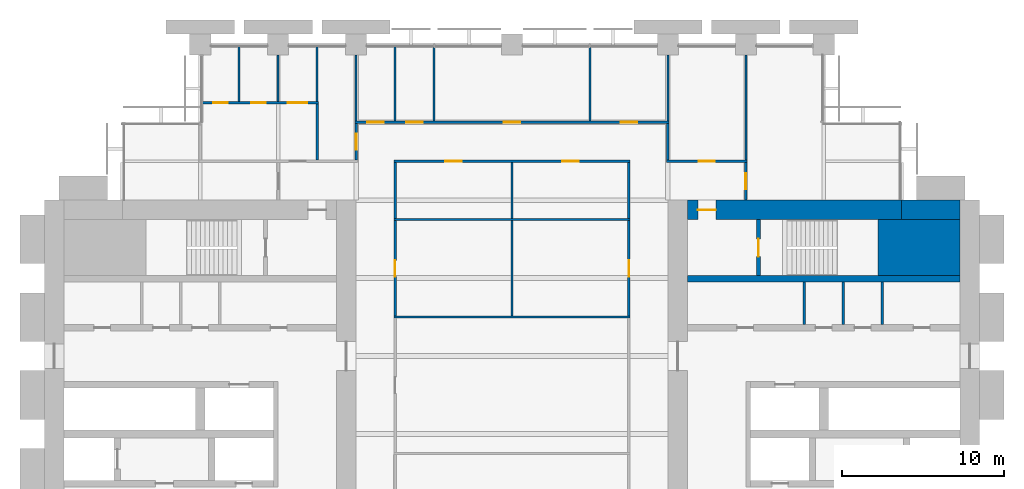
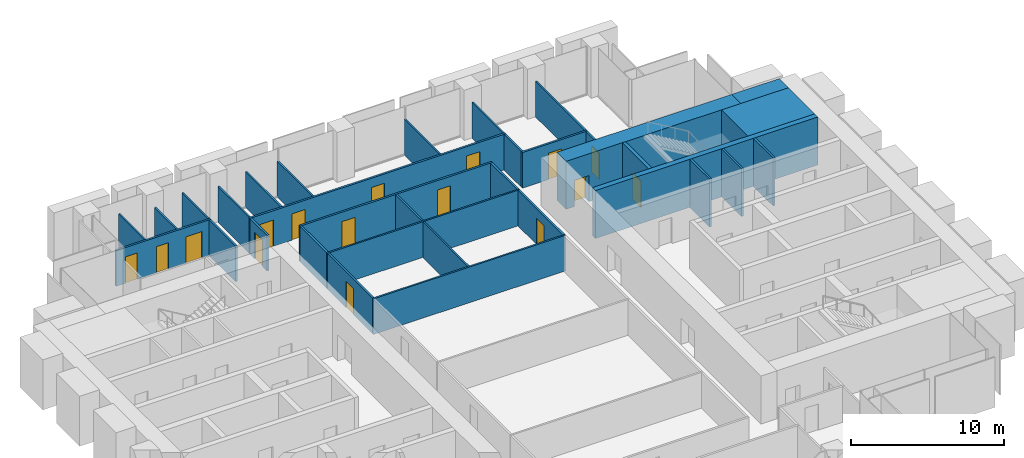
# One storey, part 12 of 14: 33 walls, 16 doors, 16 openings.
"""IFC4 building model written with IfcOpenShell, lengths in metres."""

from ifc_helpers import new_model, si_unit, direction, frame, frame_2d, origin, place, context, subcontext, project, spatial, rectangle, extrude, material, layer, layer_set, type_object, element, fill, save


model = new_model("IFC4")

# Units and contexts
model_context = context("Model", 3, precision=1e-05, world=origin(), true_north=direction((0.0, 1.0)))
body_context = subcontext(model_context, "Body", "Model", "MODEL_VIEW")
ifc_project = project(units=[si_unit("LENGTHUNIT", "METRE"), si_unit("AREAUNIT", "SQUARE_METRE"), si_unit("VOLUMEUNIT", "CUBIC_METRE"), si_unit("PLANEANGLEUNIT", "RADIAN"), si_unit("MASSUNIT", "GRAM", prefix="KILO")], contexts=[model_context])

# Site, building, storey
site_placement = place(None, origin())
site = spatial("IfcSite", under=ifc_project, at=site_placement, CompositionType="ELEMENT")
building_placement = place(site_placement, origin())
building = spatial("IfcBuilding", under=site, at=building_placement, Name="Baori Bourse Tower", CompositionType="ELEMENT")
storey_placement = place(building_placement, frame((0.0, 0.0, 67.0)))
storey = spatial("IfcBuildingStorey", under=building, at=storey_placement, Name="L14", CompositionType="ELEMENT", Elevation=67.0)

# Walls
ifc_material_1 = material(Name="Concrete f'c 70 MPa", Category="concrete")
wall_type_1 = type_object("IfcWallType", Name="Core corner block f'c 70", PredefinedType="SHEAR", material=ifc_material_1)
wall_1_placement = place(storey_placement, frame((51.35009765625, 35.47509765625, 0.0), z_axis=(0.0, 0.0, 1.0), x_axis=(1.0, 0.0, 0.0)))
element("IfcWall", 1, at=wall_1_placement, inside=storey, type_object=wall_type_1, Name="Core wall E22", PredefinedType="SHEAR", context=body_context, shape_type="SweptSolid", body=[
    extrude(rectangle(XDim=5.0498046875, YDim=3.449951171875, at=frame_2d((2.52490234375, 0.0))), origin(), (0.0, 0.0, 1.0), 3.840087890625),
])
ifc_material_2 = material(Name="Blockwork partition", Category="masonry")
ifc_layer_1 = layer(ifc_material_2, 0.14990234375)
ifc_layer_set_1 = layer_set([ifc_layer_1], Name="Core partition 150")
wall_type_2 = type_object("IfcWallType", Name="Core partition 150", PredefinedType="PARTITIONING", material=ifc_layer_set_1)
for number, where, z_axis, x_axis, name in (
    (2, (51.60009765625, 30.75, 0.0), (0.0, 0.0, 1.0), (0.0, 1.0, 0.0), "Partition wall E18"),
    (3, (49.199951171875, 30.75, 0.0), (0.0, 0.0, 1.0), (0.0, 1.0, 0.0), "Partition wall E19"),
    (4, (46.800048828125, 30.75, 0.0), (0.0, 0.0, 1.0), (0.0, 1.0, 0.0), "Partition wall E20"),
):
    element("IfcWall", number, at=place(storey_placement, frame(where, z_axis=z_axis, x_axis=x_axis)), inside=storey, type_object=wall_type_2, Name=name, PredefinedType="PARTITIONING", context=body_context, shape_type="SweptSolid", body=[
        extrude(rectangle(XDim=2.60009765625, YDim=0.14990234375, at=frame_2d((1.300048828125, 0.0))), origin(), (0.0, 0.0, 1.0), 3.840087890625),
    ])
ifc_material_3 = material(Name="Concrete f'c 70 MPa", Category="concrete")
ifc_layer_2 = layer(ifc_material_3, 1.199951171875)
ifc_layer_set_2 = layer_set([ifc_layer_2], Name="Core wall 1200 f'c 70")
wall_type_3 = type_object("IfcWallType", Name="Core wall 1200 f'c 70", PredefinedType="SHEAR", material=ifc_layer_set_2)
wall_2_placement = place(storey_placement, frame((52.800048828125, 37.800048828125, 0.0), z_axis=(0.0, 0.0, 1.0), x_axis=(1.0, 0.0, 0.0)))
element("IfcWall", 5, at=wall_2_placement, inside=storey, type_object=wall_type_3, Name="Core wall E24", PredefinedType="SHEAR", context=body_context, shape_type="SweptSolid", body=[
    extrude(rectangle(XDim=3.599853515625, YDim=1.199951171875, at=frame_2d((1.7998046875, 0.0))), origin(), (0.0, 0.0, 1.0), 3.840087890625),
])

# Wall, opening, door
wall_3_placement = place(storey_placement, frame((39.60009765625, 37.800048828125, 0.0), z_axis=(0.0, 0.0, 1.0), x_axis=(1.0, 0.0, 0.0)))
wall_3 = element("IfcWall", 6, at=wall_3_placement, inside=storey, type_object=wall_type_3, Name="Core wall E25", PredefinedType="SHEAR", context=body_context, shape_type="SweptSolid", body=[
    extrude(rectangle(XDim=13.199951171875, YDim=1.199951171875, at=frame_2d((6.60009765625, 0.0))), origin(), (0.0, 0.0, 1.0), 3.840087890625),
])
opening_1_placement = place(wall_3_placement, frame((0.64990234375, 0.0, 0.0)))
opening_1 = element("IfcOpeningElement", 7, at=opening_1_placement, cuts=wall_3, Name="Opening L14-D204", PredefinedType="OPENING", context=body_context, shape_type="SweptSolid", body=[
    extrude(rectangle(XDim=1.10009765625, YDim=2.10009765625, at=frame_2d((0.550048828125, 1.050048828125))), frame((0.0, 0.60986328125, 0.0), z_axis=(0.0, -1.0, 0.0), x_axis=(1.0, 0.0, 0.0)), (0.0, 0.0, 1.0), 1.219970703125),
])
ifc_material_4 = material(Name="Painted steel door", Category="steel")
door_type_1 = type_object("IfcDoorType", Name="Stair door 1100", OperationType="SINGLE_SWING_LEFT", PredefinedType="DOOR", material=ifc_material_4)
door_1_placement = place(opening_1_placement, origin())
door_1 = element("IfcDoor", 8, at=door_1_placement, inside=storey, type_object=door_type_1, Name="Stair vestibule door B E L14", OperationType="SINGLE_SWING_LEFT", OverallHeight=2.10009765625, OverallWidth=1.10009765625, PredefinedType="DOOR", context=body_context, shape_type="SweptSolid", body=[
    extrude(rectangle(XDim=1.10009765625, YDim=2.10009765625, at=frame_2d((0.550048828125, 1.050048828125))), frame((0.0, 0.02490234375, 0.0), z_axis=(0.0, -1.0, 0.0), x_axis=(1.0, 0.0, 0.0)), (0.0, 0.0, 1.0), 0.050048828125),
])
fill(opening_1, door_1)

# Wall, openings, doors
ifc_material_5 = material(Name="Gypsum board partition")
ifc_layer_3 = layer(ifc_material_5, 0.14990234375)
ifc_layer_set_3 = layer_set([ifc_layer_3], Name="Corridor partition 150")
wall_type_4 = type_object("IfcWallType", Name="Corridor partition 150", PredefinedType="PARTITIONING", material=ifc_layer_set_3)
wall_4_placement = place(storey_placement, frame((21.52490234375, 40.800048828125, 0.0), z_axis=(0.0, 0.0, 1.0), x_axis=(1.0, 0.0, 0.0)))
wall_4 = element("IfcWall", 9, at=wall_4_placement, inside=storey, type_object=wall_type_4, Name="Partition", PredefinedType="PARTITIONING", context=body_context, shape_type="SweptSolid", body=[
    extrude(rectangle(XDim=14.550048828125, YDim=0.14990234375, at=frame_2d((7.27490234375, 0.0))), origin(), (0.0, 0.0, 1.0), 2.849365234375),
])
opening_2_placement = place(wall_4_placement, frame((3.175048828125, 0.0, 0.0)))
opening_2 = element("IfcOpeningElement", 10, at=opening_2_placement, cuts=wall_4, Name="Opening L14-D08", PredefinedType="OPENING", context=body_context, shape_type="SweptSolid", body=[
    extrude(rectangle(XDim=1.0, YDim=2.10009765625, at=frame_2d((0.5, 1.050048828125))), frame((0.0, 0.0849609375, 0.0), z_axis=(0.0, -1.0, 0.0), x_axis=(1.0, 0.0, 0.0)), (0.0, 0.0, 1.0), 0.169921875),
])
opening_3_placement = place(wall_4_placement, frame((10.375, 0.0, 0.0)))
opening_3 = element("IfcOpeningElement", 11, at=opening_3_placement, cuts=wall_4, Name="Opening L14-D09", PredefinedType="OPENING", context=body_context, shape_type="SweptSolid", body=[
    extrude(rectangle(XDim=1.0, YDim=2.10009765625, at=frame_2d((0.5, 1.050048828125))), frame((0.0, 0.0849609375, 0.0), z_axis=(0.0, -1.0, 0.0), x_axis=(1.0, 0.0, 0.0)), (0.0, 0.0, 1.0), 0.169921875),
])
ifc_material_6 = material(Name="Timber door leaf", Category="wood")
door_type_2 = type_object("IfcDoorType", Name="Door 1000 x 2100", OperationType="SINGLE_SWING_LEFT", PredefinedType="DOOR", material=ifc_material_6)
door_2_placement = place(opening_2_placement, origin())
door_2 = element("IfcDoor", 12, at=door_2_placement, inside=storey, type_object=door_type_2, Name="Door", OperationType="SINGLE_SWING_LEFT", OverallHeight=2.10009765625, OverallWidth=1.0, PredefinedType="DOOR", context=body_context, shape_type="SweptSolid", body=[
    extrude(rectangle(XDim=1.0, YDim=2.10009765625, at=frame_2d((0.5, 1.050048828125))), frame((0.0, 0.02490234375, 0.0), z_axis=(0.0, -1.0, 0.0), x_axis=(1.0, 0.0, 0.0)), (0.0, 0.0, 1.0), 0.050048828125),
])
fill(opening_2, door_2)
door_3_placement = place(opening_3_placement, origin())
door_3 = element("IfcDoor", 13, at=door_3_placement, inside=storey, type_object=door_type_2, Name="Door", OperationType="SINGLE_SWING_RIGHT", OverallHeight=2.10009765625, OverallWidth=1.0, PredefinedType="DOOR", context=body_context, shape_type="SweptSolid", body=[
    extrude(rectangle(XDim=1.0, YDim=2.10009765625, at=frame_2d((0.5, 1.050048828125))), frame((0.0, 0.02490234375, 0.0), z_axis=(0.0, -1.0, 0.0), x_axis=(1.0, 0.0, 0.0)), (0.0, 0.0, 1.0), 0.050048828125),
])
fill(opening_3, door_3)

# Wall, opening, door
wall_5_placement = place(storey_placement, frame((38.324951171875, 40.800048828125, 0.0), z_axis=(0.0, 0.0, 1.0), x_axis=(1.0, 0.0, 0.0)))
wall_5 = element("IfcWall", 14, at=wall_5_placement, inside=storey, type_object=wall_type_4, Name="Partition", PredefinedType="PARTITIONING", context=body_context, shape_type="SweptSolid", body=[
    extrude(rectangle(XDim=4.949951171875, YDim=0.14990234375, at=frame_2d((2.47509765625, 0.0))), origin(), (0.0, 0.0, 1.0), 2.849365234375),
])
opening_4_placement = place(wall_5_placement, frame((1.97509765625, 0.0, 0.0)))
opening_4 = element("IfcOpeningElement", 15, at=opening_4_placement, cuts=wall_5, Name="Opening L14-D10", PredefinedType="OPENING", context=body_context, shape_type="SweptSolid", body=[
    extrude(rectangle(XDim=1.0, YDim=2.10009765625, at=frame_2d((0.5, 1.050048828125))), frame((0.0, 0.0849609375, 0.0), z_axis=(0.0, -1.0, 0.0), x_axis=(1.0, 0.0, 0.0)), (0.0, 0.0, 1.0), 0.169921875),
])
door_4_placement = place(opening_4_placement, origin())
door_4 = element("IfcDoor", 16, at=door_4_placement, inside=storey, type_object=door_type_2, Name="Door", OperationType="SINGLE_SWING_RIGHT", OverallHeight=2.10009765625, OverallWidth=1.0, PredefinedType="DOOR", context=body_context, shape_type="SweptSolid", body=[
    extrude(rectangle(XDim=1.0, YDim=2.10009765625, at=frame_2d((0.5, 1.050048828125))), frame((0.0, 0.02490234375, 0.0), z_axis=(0.0, -1.0, 0.0), x_axis=(1.0, 0.0, 0.0)), (0.0, 0.0, 1.0), 0.050048828125),
])
fill(opening_4, door_4)

# Wall, openings, doors
wall_6_placement = place(storey_placement, frame((19.125, 43.199951171875, 0.0), z_axis=(0.0, 0.0, 1.0), x_axis=(1.0, 0.0, 0.0)))
wall_6 = element("IfcWall", 17, at=wall_6_placement, inside=storey, type_object=wall_type_4, Name="Partition", PredefinedType="PARTITIONING", context=body_context, shape_type="SweptSolid", body=[
    extrude(rectangle(XDim=19.35009765625, YDim=0.14990234375, at=frame_2d((9.675048828125, 0.0))), origin(), (0.0, 0.0, 1.0), 2.849365234375),
])
opening_5_placement = place(wall_6_placement, frame((0.77490234375, 0.0, 0.0)))
opening_5 = element("IfcOpeningElement", 18, at=opening_5_placement, cuts=wall_6, Name="Opening L14-D11", PredefinedType="OPENING", context=body_context, shape_type="SweptSolid", body=[
    extrude(rectangle(XDim=1.0, YDim=2.10009765625, at=frame_2d((0.5, 1.050048828125))), frame((0.0, 0.0849609375, 0.0), z_axis=(0.0, -1.0, 0.0), x_axis=(1.0, 0.0, 0.0)), (0.0, 0.0, 1.0), 0.169921875),
])
opening_6_placement = place(wall_6_placement, frame((3.175048828125, 0.0, 0.0)))
opening_6 = element("IfcOpeningElement", 19, at=opening_6_placement, cuts=wall_6, Name="Opening L14-D12", PredefinedType="OPENING", context=body_context, shape_type="SweptSolid", body=[
    extrude(rectangle(XDim=1.0, YDim=2.10009765625, at=frame_2d((0.5, 1.050048828125))), frame((0.0, 0.0849609375, 0.0), z_axis=(0.0, -1.0, 0.0), x_axis=(1.0, 0.0, 0.0)), (0.0, 0.0, 1.0), 0.169921875),
])
opening_7_placement = place(wall_6_placement, frame((9.175048828125, 0.0, 0.0)))
opening_7 = element("IfcOpeningElement", 20, at=opening_7_placement, cuts=wall_6, Name="Opening L14-D13", PredefinedType="OPENING", context=body_context, shape_type="SweptSolid", body=[
    extrude(rectangle(XDim=1.0, YDim=2.10009765625, at=frame_2d((0.5, 1.050048828125))), frame((0.0, 0.0849609375, 0.0), z_axis=(0.0, -1.0, 0.0), x_axis=(1.0, 0.0, 0.0)), (0.0, 0.0, 1.0), 0.169921875),
])
opening_8_placement = place(wall_6_placement, frame((16.375, 0.0, 0.0)))
opening_8 = element("IfcOpeningElement", 21, at=opening_8_placement, cuts=wall_6, Name="Opening L14-D14", PredefinedType="OPENING", context=body_context, shape_type="SweptSolid", body=[
    extrude(rectangle(XDim=1.0, YDim=2.10009765625, at=frame_2d((0.5, 1.050048828125))), frame((0.0, 0.0849609375, 0.0), z_axis=(0.0, -1.0, 0.0), x_axis=(1.0, 0.0, 0.0)), (0.0, 0.0, 1.0), 0.169921875),
])
door_5_placement = place(opening_5_placement, origin())
door_5 = element("IfcDoor", 22, at=door_5_placement, inside=storey, type_object=door_type_2, Name="Door", OperationType="SINGLE_SWING_RIGHT", OverallHeight=2.10009765625, OverallWidth=1.0, PredefinedType="DOOR", context=body_context, shape_type="SweptSolid", body=[
    extrude(rectangle(XDim=1.0, YDim=2.10009765625, at=frame_2d((0.5, 1.050048828125))), frame((0.0, 0.02490234375, 0.0), z_axis=(0.0, -1.0, 0.0), x_axis=(1.0, 0.0, 0.0)), (0.0, 0.0, 1.0), 0.050048828125),
])
fill(opening_5, door_5)
door_6_placement = place(opening_6_placement, origin())
door_6 = element("IfcDoor", 23, at=door_6_placement, inside=storey, type_object=door_type_2, Name="Door", OperationType="SINGLE_SWING_RIGHT", OverallHeight=2.10009765625, OverallWidth=1.0, PredefinedType="DOOR", context=body_context, shape_type="SweptSolid", body=[
    extrude(rectangle(XDim=1.0, YDim=2.10009765625, at=frame_2d((0.5, 1.050048828125))), frame((0.0, 0.02490234375, 0.0), z_axis=(0.0, -1.0, 0.0), x_axis=(1.0, 0.0, 0.0)), (0.0, 0.0, 1.0), 0.050048828125),
])
fill(opening_6, door_6)
door_7_placement = place(opening_7_placement, origin())
door_7 = element("IfcDoor", 24, at=door_7_placement, inside=storey, type_object=door_type_2, Name="Door", OperationType="SINGLE_SWING_RIGHT", OverallHeight=2.10009765625, OverallWidth=1.0, PredefinedType="DOOR", context=body_context, shape_type="SweptSolid", body=[
    extrude(rectangle(XDim=1.0, YDim=2.10009765625, at=frame_2d((0.5, 1.050048828125))), frame((0.0, 0.02490234375, 0.0), z_axis=(0.0, -1.0, 0.0), x_axis=(1.0, 0.0, 0.0)), (0.0, 0.0, 1.0), 0.050048828125),
])
fill(opening_7, door_7)
door_8_placement = place(opening_8_placement, origin())
door_8 = element("IfcDoor", 25, at=door_8_placement, inside=storey, type_object=door_type_2, Name="Door", OperationType="SINGLE_SWING_LEFT", OverallHeight=2.10009765625, OverallWidth=1.0, PredefinedType="DOOR", context=body_context, shape_type="SweptSolid", body=[
    extrude(rectangle(XDim=1.0, YDim=2.10009765625, at=frame_2d((0.5, 1.050048828125))), frame((0.0, 0.02490234375, 0.0), z_axis=(0.0, -1.0, 0.0), x_axis=(1.0, 0.0, 0.0)), (0.0, 0.0, 1.0), 0.050048828125),
])
fill(opening_8, door_8)

wall_7_placement = place(storey_placement, frame((9.699951171875, 44.39990234375, 0.0), z_axis=(0.0, 0.0, 1.0), x_axis=(1.0, 0.0, 0.0)))
wall_7 = element("IfcWall", 26, at=wall_7_placement, inside=storey, type_object=wall_type_4, Name="Partition", PredefinedType="PARTITIONING", context=body_context, shape_type="SweptSolid", body=[
    extrude(rectangle(XDim=7.175048828125, YDim=0.14990234375, at=frame_2d((3.58740234375, 0.0))), origin(), (0.0, 0.0, 1.0), 2.849365234375),
])
opening_9_placement = place(wall_7_placement, frame((0.699951171875, 0.0, 0.0)))
opening_9 = element("IfcOpeningElement", 27, at=opening_9_placement, cuts=wall_7, Name="Opening L14-D15", PredefinedType="OPENING", context=body_context, shape_type="SweptSolid", body=[
    extrude(rectangle(XDim=0.89990234375, YDim=2.10009765625, at=frame_2d((0.449951171875, 1.050048828125))), frame((0.0, 0.0849609375, 0.0), z_axis=(0.0, -1.0, 0.0), x_axis=(1.0, 0.0, 0.0)), (0.0, 0.0, 1.0), 0.169921875),
])
opening_10_placement = place(wall_7_placement, frame((3.050048828125, 0.0, 0.0)))
opening_10 = element("IfcOpeningElement", 28, at=opening_10_placement, cuts=wall_7, Name="Opening L14-D16", PredefinedType="OPENING", context=body_context, shape_type="SweptSolid", body=[
    extrude(rectangle(XDim=0.89990234375, YDim=2.10009765625, at=frame_2d((0.449951171875, 1.050048828125))), frame((0.0, 0.0849609375, 0.0), z_axis=(0.0, -1.0, 0.0), x_axis=(1.0, 0.0, 0.0)), (0.0, 0.0, 1.0), 0.169921875),
])
opening_11_placement = place(wall_7_placement, frame((5.300048828125, 0.0, 0.0)))
opening_11 = element("IfcOpeningElement", 29, at=opening_11_placement, cuts=wall_7, Name="Opening L14-D17", PredefinedType="OPENING", context=body_context, shape_type="SweptSolid", body=[
    extrude(rectangle(XDim=1.199951171875, YDim=2.10009765625, at=frame_2d((0.60009765625, 1.050048828125))), frame((0.0, 0.0849609375, 0.0), z_axis=(0.0, -1.0, 0.0), x_axis=(1.0, 0.0, 0.0)), (0.0, 0.0, 1.0), 0.169921875),
])
ifc_material_7 = material(Name="Timber door leaf", Category="wood")
door_type_3 = type_object("IfcDoorType", Name="Door 1200 x 2100", OperationType="SINGLE_SWING_LEFT", PredefinedType="DOOR", material=ifc_material_7)
door_9_placement = place(opening_11_placement, origin())
door_9 = element("IfcDoor", 30, at=door_9_placement, inside=storey, type_object=door_type_3, Name="Door", OperationType="SINGLE_SWING_LEFT", OverallHeight=2.10009765625, OverallWidth=1.199951171875, PredefinedType="DOOR", context=body_context, shape_type="SweptSolid", body=[
    extrude(rectangle(XDim=1.199951171875, YDim=2.10009765625, at=frame_2d((0.60009765625, 1.050048828125))), frame((0.0, 0.02490234375, 0.0), z_axis=(0.0, -1.0, 0.0), x_axis=(1.0, 0.0, 0.0)), (0.0, 0.0, 1.0), 0.050048828125),
])
fill(opening_11, door_9)
ifc_material_8 = material(Name="Timber door leaf", Category="wood")
door_type_4 = type_object("IfcDoorType", Name="Door 900 x 2100", OperationType="SINGLE_SWING_LEFT", PredefinedType="DOOR", material=ifc_material_8)
door_10_placement = place(opening_9_placement, origin())
door_10 = element("IfcDoor", 31, at=door_10_placement, inside=storey, type_object=door_type_4, Name="Door", OperationType="SINGLE_SWING_RIGHT", OverallHeight=2.10009765625, OverallWidth=0.89990234375, PredefinedType="DOOR", context=body_context, shape_type="SweptSolid", body=[
    extrude(rectangle(XDim=0.89990234375, YDim=2.10009765625, at=frame_2d((0.449951171875, 1.050048828125))), frame((0.0, 0.02490234375, 0.0), z_axis=(0.0, -1.0, 0.0), x_axis=(1.0, 0.0, 0.0)), (0.0, 0.0, 1.0), 0.050048828125),
])
fill(opening_9, door_10)
door_11_placement = place(opening_10_placement, origin())
door_11 = element("IfcDoor", 32, at=door_11_placement, inside=storey, type_object=door_type_4, Name="Door", OperationType="SINGLE_SWING_RIGHT", OverallHeight=2.10009765625, OverallWidth=0.89990234375, PredefinedType="DOOR", context=body_context, shape_type="SweptSolid", body=[
    extrude(rectangle(XDim=0.89990234375, YDim=2.10009765625, at=frame_2d((0.449951171875, 1.050048828125))), frame((0.0, 0.02490234375, 0.0), z_axis=(0.0, -1.0, 0.0), x_axis=(1.0, 0.0, 0.0)), (0.0, 0.0, 1.0), 0.050048828125),
])
fill(opening_10, door_11)

# Wall
wall_8_placement = place(storey_placement, frame((16.800048828125, 40.875, 0.0), z_axis=(0.0, 0.0, 1.0), x_axis=(0.0, 1.0, 0.0)))
element("IfcWall", 33, at=wall_8_placement, inside=storey, type_object=wall_type_4, Name="Partition", PredefinedType="PARTITIONING", context=body_context, shape_type="SweptSolid", body=[
    extrude(rectangle(XDim=3.449951171875, YDim=0.14990234375, at=frame_2d((1.72509765625, 0.0))), origin(), (0.0, 0.0, 1.0), 2.849365234375),
])

# Wall, opening, door
wall_9_placement = place(storey_placement, frame((19.199951171875, 40.875, 0.0), z_axis=(0.0, 0.0, 1.0), x_axis=(0.0, 1.0, 0.0)))
wall_9 = element("IfcWall", 34, at=wall_9_placement, inside=storey, type_object=wall_type_4, Name="Partition", PredefinedType="PARTITIONING", context=body_context, shape_type="SweptSolid", body=[
    extrude(rectangle(XDim=2.25, YDim=0.14990234375, at=frame_2d((1.125, 0.0))), origin(), (0.0, 0.0, 1.0), 2.849365234375),
])
opening_12_placement = place(wall_9_placement, frame((0.625, 0.0, 0.0)))
opening_12 = element("IfcOpeningElement", 35, at=opening_12_placement, cuts=wall_9, Name="Opening L14-D20", PredefinedType="OPENING", context=body_context, shape_type="SweptSolid", body=[
    extrude(rectangle(XDim=1.0, YDim=2.10009765625, at=frame_2d((0.5, 1.050048828125))), frame((0.0, 0.0849609375, 0.0), z_axis=(0.0, -1.0, 0.0), x_axis=(1.0, 0.0, 0.0)), (0.0, 0.0, 1.0), 0.169921875),
])
door_12_placement = place(opening_12_placement, origin())
door_12 = element("IfcDoor", 36, at=door_12_placement, inside=storey, type_object=door_type_2, Name="Door", OperationType="SINGLE_SWING_RIGHT", OverallHeight=2.10009765625, OverallWidth=1.0, PredefinedType="DOOR", context=body_context, shape_type="SweptSolid", body=[
    extrude(rectangle(XDim=1.0, YDim=2.10009765625, at=frame_2d((0.5, 1.050048828125))), frame((0.0, 0.02490234375, 0.0), z_axis=(0.0, -1.0, 0.0), x_axis=(1.0, 0.0, 0.0)), (0.0, 0.0, 1.0), 0.050048828125),
])
fill(opening_12, door_12)

wall_10_placement = place(storey_placement, frame((21.60009765625, 31.262451171875, 0.0), z_axis=(0.0, 0.0, 1.0), x_axis=(0.0, 1.0, 0.0)))
wall_10 = element("IfcWall", 37, at=wall_10_placement, inside=storey, type_object=wall_type_4, Name="Partition", PredefinedType="PARTITIONING", context=body_context, shape_type="SweptSolid", body=[
    extrude(rectangle(XDim=5.875, YDim=0.14990234375, at=frame_2d((2.9375, 0.0))), origin(), (0.0, 0.0, 1.0), 2.849365234375),
])
opening_13_placement = place(wall_10_placement, frame((2.4375, 0.0, 0.0)))
opening_13 = element("IfcOpeningElement", 38, at=opening_13_placement, cuts=wall_10, Name="Opening L14-D23", PredefinedType="OPENING", context=body_context, shape_type="SweptSolid", body=[
    extrude(rectangle(XDim=1.0, YDim=2.10009765625, at=frame_2d((0.5, 1.050048828125))), frame((0.0, 0.0849609375, 0.0), z_axis=(0.0, -1.0, 0.0), x_axis=(1.0, 0.0, 0.0)), (0.0, 0.0, 1.0), 0.169921875),
])
door_13_placement = place(opening_13_placement, origin())
door_13 = element("IfcDoor", 39, at=door_13_placement, inside=storey, type_object=door_type_2, Name="Door", OperationType="SINGLE_SWING_RIGHT", OverallHeight=2.10009765625, OverallWidth=1.0, PredefinedType="DOOR", context=body_context, shape_type="SweptSolid", body=[
    extrude(rectangle(XDim=1.0, YDim=2.10009765625, at=frame_2d((0.5, 1.050048828125))), frame((0.0, 0.02490234375, 0.0), z_axis=(0.0, -1.0, 0.0), x_axis=(1.0, 0.0, 0.0)), (0.0, 0.0, 1.0), 0.050048828125),
])
fill(opening_13, door_13)

# Wall
wall_11_placement = place(storey_placement, frame((21.60009765625, 37.262451171875, 0.0), z_axis=(0.0, 0.0, 1.0), x_axis=(0.0, 1.0, 0.0)))
element("IfcWall", 40, at=wall_11_placement, inside=storey, type_object=wall_type_4, Name="Partition", PredefinedType="PARTITIONING", context=body_context, shape_type="SweptSolid", body=[
    extrude(rectangle(XDim=3.462646484375, YDim=0.14990234375, at=frame_2d((1.7314453125, 0.0))), origin(), (0.0, 0.0, 1.0), 2.849365234375),
])

# Wall, opening, door
wall_12_placement = place(storey_placement, frame((36.0, 31.262451171875, 0.0), z_axis=(0.0, 0.0, 1.0), x_axis=(0.0, 1.0, 0.0)))
wall_12 = element("IfcWall", 41, at=wall_12_placement, inside=storey, type_object=wall_type_4, Name="Partition", PredefinedType="PARTITIONING", context=body_context, shape_type="SweptSolid", body=[
    extrude(rectangle(XDim=5.875, YDim=0.14990234375, at=frame_2d((2.9375, 0.0))), origin(), (0.0, 0.0, 1.0), 2.849365234375),
])
opening_14_placement = place(wall_12_placement, frame((2.4375, 0.0, 0.0)))
opening_14 = element("IfcOpeningElement", 42, at=opening_14_placement, cuts=wall_12, Name="Opening L14-D24", PredefinedType="OPENING", context=body_context, shape_type="SweptSolid", body=[
    extrude(rectangle(XDim=1.0, YDim=2.10009765625, at=frame_2d((0.5, 1.050048828125))), frame((0.0, 0.0849609375, 0.0), z_axis=(0.0, -1.0, 0.0), x_axis=(1.0, 0.0, 0.0)), (0.0, 0.0, 1.0), 0.169921875),
])
door_14_placement = place(opening_14_placement, origin())
door_14 = element("IfcDoor", 43, at=door_14_placement, inside=storey, type_object=door_type_2, Name="Door", OperationType="SINGLE_SWING_LEFT", OverallHeight=2.10009765625, OverallWidth=1.0, PredefinedType="DOOR", context=body_context, shape_type="SweptSolid", body=[
    extrude(rectangle(XDim=1.0, YDim=2.10009765625, at=frame_2d((0.5, 1.050048828125))), frame((0.0, 0.02490234375, 0.0), z_axis=(0.0, -1.0, 0.0), x_axis=(1.0, 0.0, 0.0)), (0.0, 0.0, 1.0), 0.050048828125),
])
fill(opening_14, door_14)

# Walls
wall_13_placement = place(storey_placement, frame((36.0, 37.262451171875, 0.0), z_axis=(0.0, 0.0, 1.0), x_axis=(0.0, 1.0, 0.0)))
element("IfcWall", 44, at=wall_13_placement, inside=storey, type_object=wall_type_4, Name="Partition", PredefinedType="PARTITIONING", context=body_context, shape_type="SweptSolid", body=[
    extrude(rectangle(XDim=3.462646484375, YDim=0.14990234375, at=frame_2d((1.7314453125, 0.0))), origin(), (0.0, 0.0, 1.0), 2.849365234375),
])
wall_14_placement = place(storey_placement, frame((38.39990234375, 40.875, 0.0), z_axis=(0.0, 0.0, 1.0), x_axis=(0.0, 1.0, 0.0)))
element("IfcWall", 45, at=wall_14_placement, inside=storey, type_object=wall_type_4, Name="Partition", PredefinedType="PARTITIONING", context=body_context, shape_type="SweptSolid", body=[
    extrude(rectangle(XDim=2.25, YDim=0.14990234375, at=frame_2d((1.125, 0.0))), origin(), (0.0, 0.0, 1.0), 2.849365234375),
])

# Wall, opening, door
wall_15_placement = place(storey_placement, frame((43.199951171875, 38.39990234375, 0.0), z_axis=(0.0, 0.0, 1.0), x_axis=(0.0, 1.0, 0.0)))
wall_15 = element("IfcWall", 46, at=wall_15_placement, inside=storey, type_object=wall_type_4, Name="Partition", PredefinedType="PARTITIONING", context=body_context, shape_type="SweptSolid", body=[
    extrude(rectangle(XDim=2.3251953125, YDim=0.14990234375, at=frame_2d((1.16259765625, 0.0))), origin(), (0.0, 0.0, 1.0), 2.849365234375),
])
opening_15_placement = place(wall_15_placement, frame((0.66259765625, 0.0, 0.0)))
opening_15 = element("IfcOpeningElement", 47, at=opening_15_placement, cuts=wall_15, Name="Opening L14-D26", PredefinedType="OPENING", context=body_context, shape_type="SweptSolid", body=[
    extrude(rectangle(XDim=1.0, YDim=2.10009765625, at=frame_2d((0.5, 1.050048828125))), frame((0.0, 0.0849609375, 0.0), z_axis=(0.0, -1.0, 0.0), x_axis=(1.0, 0.0, 0.0)), (0.0, 0.0, 1.0), 0.169921875),
])
door_15_placement = place(opening_15_placement, origin())
door_15 = element("IfcDoor", 48, at=door_15_placement, inside=storey, type_object=door_type_2, Name="Door", OperationType="SINGLE_SWING_LEFT", OverallHeight=2.10009765625, OverallWidth=1.0, PredefinedType="DOOR", context=body_context, shape_type="SweptSolid", body=[
    extrude(rectangle(XDim=1.0, YDim=2.10009765625, at=frame_2d((0.5, 1.050048828125))), frame((0.0, 0.02490234375, 0.0), z_axis=(0.0, -1.0, 0.0), x_axis=(1.0, 0.0, 0.0)), (0.0, 0.0, 1.0), 0.050048828125),
])
fill(opening_15, door_15)

# Walls
ifc_material_9 = material(Name="Gypsum board partition")
ifc_layer_4 = layer(ifc_material_9, 0.125)
ifc_layer_set_4 = layer_set([ifc_layer_4], Name="Partition 125")
wall_type_5 = type_object("IfcWallType", Name="Partition 125", PredefinedType="PARTITIONING", material=ifc_layer_set_4)
for number, where, z_axis, x_axis, name in (
    (49, (21.52490234375, 31.199951171875, 0.0), (0.0, 0.0, 1.0), (1.0, 0.0, 0.0), "Partition"),
    (50, (21.52490234375, 37.199951171875, 0.0), (0.0, 0.0, 1.0), (1.0, 0.0, 0.0), "Partition"),
):
    element("IfcWall", number, at=place(storey_placement, frame(where, z_axis=z_axis, x_axis=x_axis)), inside=storey, type_object=wall_type_5, Name=name, PredefinedType="PARTITIONING", context=body_context, shape_type="SweptSolid", body=[
        extrude(rectangle(XDim=14.550048828125, YDim=0.125, at=frame_2d((7.27490234375, 0.0))), origin(), (0.0, 0.0, 1.0), 2.849365234375),
    ])
wall_16_placement = place(storey_placement, frame((12.0, 44.47509765625, 0.0), z_axis=(0.0, 0.0, 1.0), x_axis=(0.0, 1.0, 0.0)))
element("IfcWall", 51, at=wall_16_placement, inside=storey, type_object=wall_type_5, Name="Partition", PredefinedType="PARTITIONING", context=body_context, shape_type="SweptSolid", body=[
    extrude(rectangle(XDim=3.4248046875, YDim=0.125, at=frame_2d((1.71240234375, 0.0))), origin(), (0.0, 0.0, 1.0), 2.849365234375),
])
wall_17_placement = place(storey_placement, frame((14.39990234375, 44.47509765625, 0.0), z_axis=(0.0, 0.0, 1.0), x_axis=(0.0, 1.0, 0.0)))
element("IfcWall", 52, at=wall_17_placement, inside=storey, type_object=wall_type_5, Name="Partition", PredefinedType="PARTITIONING", context=body_context, shape_type="SweptSolid", body=[
    extrude(rectangle(XDim=2.875, YDim=0.125, at=frame_2d((1.4375, 0.0))), origin(), (0.0, 0.0, 1.0), 2.849365234375),
])
wall_18_placement = place(storey_placement, frame((16.800048828125, 44.47509765625, 0.0), z_axis=(0.0, 0.0, 1.0), x_axis=(0.0, 1.0, 0.0)))
element("IfcWall", 53, at=wall_18_placement, inside=storey, type_object=wall_type_5, Name="Partition", PredefinedType="PARTITIONING", context=body_context, shape_type="SweptSolid", body=[
    extrude(rectangle(XDim=3.4248046875, YDim=0.125, at=frame_2d((1.71240234375, 0.0))), origin(), (0.0, 0.0, 1.0), 2.849365234375),
])
wall_19_placement = place(storey_placement, frame((19.199951171875, 43.27490234375, 0.0), z_axis=(0.0, 0.0, 1.0), x_axis=(0.0, 1.0, 0.0)))
element("IfcWall", 54, at=wall_19_placement, inside=storey, type_object=wall_type_5, Name="Partition", PredefinedType="PARTITIONING", context=body_context, shape_type="SweptSolid", body=[
    extrude(rectangle(XDim=4.0751953125, YDim=0.125, at=frame_2d((2.03759765625, 0.0))), origin(), (0.0, 0.0, 1.0), 2.849365234375),
])
for number, where, z_axis, x_axis, name in (
    (55, (21.60009765625, 43.27490234375, 0.0), (0.0, 0.0, 1.0), (0.0, 1.0, 0.0), "Partition"),
    (56, (24.0, 43.27490234375, 0.0), (0.0, 0.0, 1.0), (0.0, 1.0, 0.0), "Partition"),
):
    element("IfcWall", number, at=place(storey_placement, frame(where, z_axis=z_axis, x_axis=x_axis)), inside=storey, type_object=wall_type_5, Name=name, PredefinedType="PARTITIONING", context=body_context, shape_type="SweptSolid", body=[
        extrude(rectangle(XDim=4.625, YDim=0.125, at=frame_2d((2.3125, 0.0))), origin(), (0.0, 0.0, 1.0), 2.849365234375),
    ])
wall_20_placement = place(storey_placement, frame((28.800048828125, 31.262451171875, 0.0), z_axis=(0.0, 0.0, 1.0), x_axis=(0.0, 1.0, 0.0)))
element("IfcWall", 57, at=wall_20_placement, inside=storey, type_object=wall_type_5, Name="Partition", PredefinedType="PARTITIONING", context=body_context, shape_type="SweptSolid", body=[
    extrude(rectangle(XDim=5.875, YDim=0.125, at=frame_2d((2.9375, 0.0))), origin(), (0.0, 0.0, 1.0), 2.849365234375),
])
wall_21_placement = place(storey_placement, frame((28.800048828125, 37.262451171875, 0.0), z_axis=(0.0, 0.0, 1.0), x_axis=(0.0, 1.0, 0.0)))
element("IfcWall", 58, at=wall_21_placement, inside=storey, type_object=wall_type_5, Name="Partition", PredefinedType="PARTITIONING", context=body_context, shape_type="SweptSolid", body=[
    extrude(rectangle(XDim=3.462646484375, YDim=0.125, at=frame_2d((1.7314453125, 0.0))), origin(), (0.0, 0.0, 1.0), 2.849365234375),
])
wall_22_placement = place(storey_placement, frame((33.60009765625, 43.27490234375, 0.0), z_axis=(0.0, 0.0, 1.0), x_axis=(0.0, 1.0, 0.0)))
element("IfcWall", 59, at=wall_22_placement, inside=storey, type_object=wall_type_5, Name="Partition", PredefinedType="PARTITIONING", context=body_context, shape_type="SweptSolid", body=[
    extrude(rectangle(XDim=4.625, YDim=0.125, at=frame_2d((2.3125, 0.0))), origin(), (0.0, 0.0, 1.0), 2.849365234375),
])
wall_23_placement = place(storey_placement, frame((38.39990234375, 43.27490234375, 0.0), z_axis=(0.0, 0.0, 1.0), x_axis=(0.0, 1.0, 0.0)))
element("IfcWall", 60, at=wall_23_placement, inside=storey, type_object=wall_type_5, Name="Partition", PredefinedType="PARTITIONING", context=body_context, shape_type="SweptSolid", body=[
    extrude(rectangle(XDim=4.0751953125, YDim=0.125, at=frame_2d((2.03759765625, 0.0))), origin(), (0.0, 0.0, 1.0), 2.849365234375),
])
wall_24_placement = place(storey_placement, frame((43.199951171875, 40.875, 0.0), z_axis=(0.0, 0.0, 1.0), x_axis=(0.0, 1.0, 0.0)))
element("IfcWall", 61, at=wall_24_placement, inside=storey, type_object=wall_type_5, Name="Partition", PredefinedType="PARTITIONING", context=body_context, shape_type="SweptSolid", body=[
    extrude(rectangle(XDim=6.47509765625, YDim=0.125, at=frame_2d((3.237548828125, 0.0))), origin(), (0.0, 0.0, 1.0), 2.849365234375),
])

# Wall, opening, door
ifc_material_10 = material(Name="Concrete f'c 70 MPa", Category="concrete")
ifc_layer_5 = layer(ifc_material_10, 0.25)
ifc_layer_set_5 = layer_set([ifc_layer_5], Name="Shaft wall 250 f'c 70")
wall_type_6 = type_object("IfcWallType", Name="Shaft wall 250 f'c 70", PredefinedType="SHEAR", material=ifc_layer_set_5)
wall_25_placement = place(storey_placement, frame((43.97509765625, 33.75, 0.0), z_axis=(0.0, 0.0, 1.0), x_axis=(0.0, 1.0, 0.0)))
wall_25 = element("IfcWall", 62, at=wall_25_placement, inside=storey, type_object=wall_type_6, Name="Core wall E23", PredefinedType="SHEAR", context=body_context, shape_type="SweptSolid", body=[
    extrude(rectangle(XDim=3.449951171875, YDim=0.25, at=frame_2d((1.72509765625, 0.0))), origin(), (0.0, 0.0, 1.0), 3.840087890625),
])
opening_16_placement = place(wall_25_placement, frame((1.175048828125, 0.0, 0.0)))
opening_16 = element("IfcOpeningElement", 63, at=opening_16_placement, cuts=wall_25, Name="Opening L14-D203", PredefinedType="OPENING", context=body_context, shape_type="SweptSolid", body=[
    extrude(rectangle(XDim=1.10009765625, YDim=2.10009765625, at=frame_2d((0.550048828125, 1.050048828125))), frame((0.0, 0.135009765625, 0.0), z_axis=(0.0, -1.0, 0.0), x_axis=(1.0, 0.0, 0.0)), (0.0, 0.0, 1.0), 0.27001953125),
])
door_16_placement = place(opening_16_placement, origin())
door_16 = element("IfcDoor", 64, at=door_16_placement, inside=storey, type_object=door_type_1, Name="Stair door B E L14", OperationType="SINGLE_SWING_LEFT", OverallHeight=2.10009765625, OverallWidth=1.10009765625, PredefinedType="DOOR", context=body_context, shape_type="SweptSolid", body=[
    extrude(rectangle(XDim=1.10009765625, YDim=2.10009765625, at=frame_2d((0.550048828125, 1.050048828125))), frame((0.0, 0.02490234375, 0.0), z_axis=(0.0, -1.0, 0.0), x_axis=(1.0, 0.0, 0.0)), (0.0, 0.0, 1.0), 0.050048828125),
])
fill(opening_16, door_16)

# Wall
ifc_material_11 = material(Name="Concrete f'c 70 MPa", Category="concrete")
ifc_layer_6 = layer(ifc_material_11, 0.39990234375)
ifc_layer_set_6 = layer_set([ifc_layer_6], Name="Shaft wall 400 f'c 70")
wall_type_7 = type_object("IfcWallType", Name="Shaft wall 400 f'c 70", PredefinedType="SHEAR", material=ifc_layer_set_6)
wall_26_placement = place(storey_placement, frame((39.60009765625, 33.550048828125, 0.0), z_axis=(0.0, 0.0, 1.0), x_axis=(1.0, 0.0, 0.0)))
element("IfcWall", 65, at=wall_26_placement, inside=storey, type_object=wall_type_7, Name="Core wall E21", PredefinedType="SHEAR", context=body_context, shape_type="SweptSolid", body=[
    extrude(rectangle(XDim=16.7998046875, YDim=0.39990234375, at=frame_2d((8.39990234375, 0.0))), origin(), (0.0, 0.0, 1.0), 3.840087890625),
])

save(model, "model.ifc")
